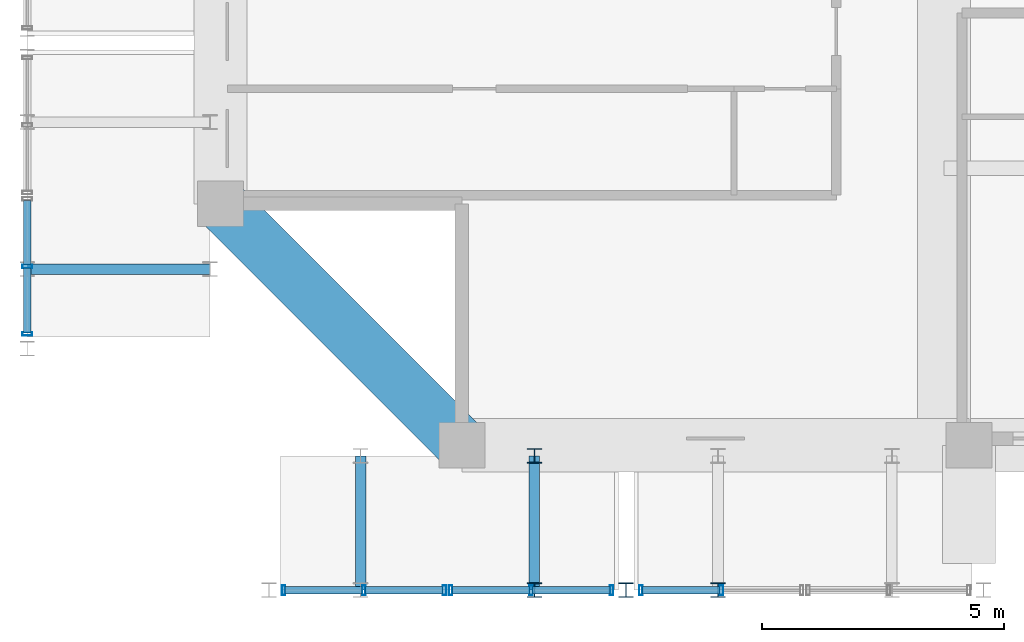
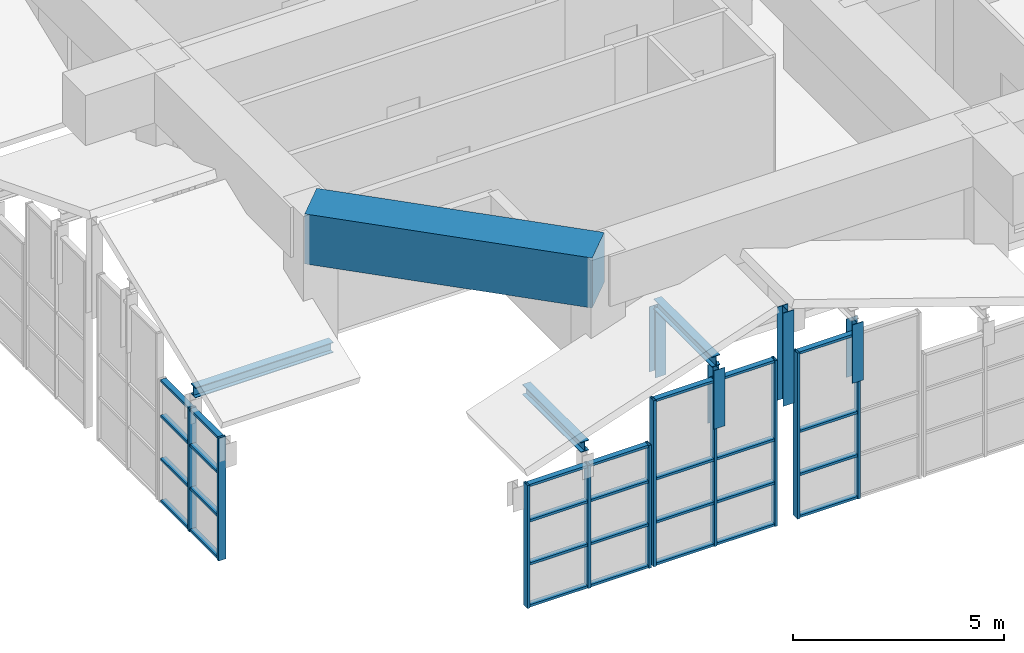
# One storey, part 2 of 45: 45 members, 1 beam, 4 elements without a shape of their own.
"""IFC4 building model written with IfcOpenShell, lengths in metres."""

from ifc_helpers import new_model, si_unit, direction, frame, origin, origin_2d, place, context, subcontext, project, spatial, rectangle, hollow_rectangle, i_section, extrude, source, transform, mapped, material, layer, layer_set, material_profile, profile_set, type_object, element, aggregate, save


model = new_model("IFC4")

# Units and contexts
model_context = context("Model", 3, precision=1e-05, world=origin(), true_north=direction((0.0, 1.0)))
body_context = subcontext(model_context, "Body", "Model", "MODEL_VIEW")
ifc_project = project(units=[si_unit("LENGTHUNIT", "METRE"), si_unit("AREAUNIT", "SQUARE_METRE"), si_unit("VOLUMEUNIT", "CUBIC_METRE"), si_unit("PLANEANGLEUNIT", "RADIAN"), si_unit("MASSUNIT", "GRAM", prefix="KILO")], contexts=[model_context])

# Site, building, storey
site_placement = place(None, origin())
site = spatial("IfcSite", under=ifc_project, at=site_placement, CompositionType="ELEMENT")
building_placement = place(site_placement, origin())
building = spatial("IfcBuilding", under=site, at=building_placement, Name="Saelheon Loggia Tower", CompositionType="ELEMENT")
storey_placement = place(building_placement, frame((0.0, 0.0, 152.199951171875)))
storey = spatial("IfcBuildingStorey", under=building, at=storey_placement, Name="L48", CompositionType="ELEMENT", Elevation=152.199951171875)

# Members
ifc_material_1 = material(Name="Steel SM355", Category="steel")
ifc_material_profile_1 = material_profile(ifc_material_1, i_section(OverallWidth=0.300048828125, OverallDepth=0.300048828125, WebThickness=0.010009765625, FlangeThickness=0.014892578125, at=origin_2d()), Name="H-300x300x10x15")
ifc_profile_set_1 = profile_set([ifc_material_profile_1], Name="Steel SM355")
member_type_1 = type_object("IfcMemberType", Name="WaveCrest_Post_H300", PredefinedType="POST", material=ifc_profile_set_1)
shared_shape_1 = source(origin(), body_context, "Body", "SweptSolid", [
    extrude(i_section(OverallWidth=0.300048828125, OverallDepth=0.300048828125, WebThickness=0.010009765625, FlangeThickness=0.014892578125, at=origin_2d()), origin(), (0.0, 0.0, 1.0), 2.699951171875),
])
member_1_placement = place(storey_placement, frame((24.39990234375, 3.0, 0.0), z_axis=(0.0, 0.0, 1.0), x_axis=(1.0, 0.0, 0.0)))
element("IfcMember", 1, at=member_1_placement, inside=storey, type_object=member_type_1, Name="Tier 1 Wave Crest Upper Post SW 01", PredefinedType="POST", context=body_context, shape_type="MappedRepresentation", body=[
    mapped(shared_shape_1, transform((0.0, 0.0, 0.0), scale=1.0)),
])
ifc_material_profile_2 = material_profile(ifc_material_1, i_section(OverallWidth=0.219970703125, OverallDepth=0.300048828125, WebThickness=0.011962890625, FlangeThickness=0.02001953125, at=origin_2d()), Name="H-300x220x12x20")
ifc_profile_set_2 = profile_set([ifc_material_profile_2], Name="Steel SM355")
member_type_2 = type_object("IfcMemberType", Name="Roof_ShoulderPurlin_RHS300", PredefinedType="PURLIN", material=ifc_profile_set_2)
shared_shape_2 = source(origin(), body_context, "Body", "SweptSolid", [
    extrude(i_section(OverallWidth=0.219970703125, OverallDepth=0.300048828125, WebThickness=0.011962890625, FlangeThickness=0.02001953125, at=origin_2d()), origin(), (0.0, 0.0, 1.0), 3.780029296875),
])
member_2_placement = place(storey_placement, frame((12.0, 9.644775390625, 0.6220703125), z_axis=(1.0, 0.0, 0.0), x_axis=(0.0, 1.0, 0.0)))
element("IfcMember", 2, at=member_2_placement, inside=storey, type_object=member_type_2, Name="Tier 1 Wave Crest Rafter W 01 A", PredefinedType="PURLIN", context=body_context, shape_type="MappedRepresentation", body=[
    mapped(shared_shape_2, transform((0.0, 0.0, 0.0), scale=1.0)),
])
shared_shape_3 = source(origin(), body_context, "Body", "SweptSolid", [
    extrude(i_section(OverallWidth=0.219970703125, OverallDepth=0.300048828125, WebThickness=0.011962890625, FlangeThickness=0.02001953125, at=origin_2d()), origin(), (0.0, 0.0, 1.0), 2.780029296875),
])
for number, where, z_axis, x_axis, name in (
    (3, (18.90087890625, 3.0, 0.628173828125), (0.0, 1.0, 0.0), (-1.0, 0.0, 0.0), "Tier 1 Wave Crest Rafter SW 01 A"),
    (4, (22.499267578125, 3.0, 1.84375), (0.0, 1.0, 0.0), (-1.0, 0.0, 0.0), "Tier 1 Wave Crest Rafter SW 01 B"),
):
    element("IfcMember", number, at=place(storey_placement, frame(where, z_axis=z_axis, x_axis=x_axis)), inside=storey, type_object=member_type_2, Name=name, PredefinedType="PURLIN", context=body_context, shape_type="MappedRepresentation", body=[
        mapped(shared_shape_3, transform((0.0, 0.0, 0.0), scale=1.0)),
    ])
shared_shape_4 = source(origin(), body_context, "Body", "SweptSolid", [
    extrude(i_section(OverallWidth=0.300048828125, OverallDepth=0.300048828125, WebThickness=0.010009765625, FlangeThickness=0.014892578125, at=origin_2d()), origin(), (0.0, 0.0, 1.0), 1.69384765625),
])
for number, where, z_axis, x_axis, name in (
    (5, (22.499267578125, 3.0, 0.0), (0.0, 0.0, 1.0), (1.0, 0.0, 0.0), "Tier 1 Rafter Outer Upper Post SW 01"),
    (6, (26.30078125, 3.0, 0.0), (0.0, 0.0, 1.0), (1.0, 0.0, 0.0), "Tier 1 Rafter Outer Upper Post SW 02"),
):
    element("IfcMember", number, at=place(storey_placement, frame(where, z_axis=z_axis, x_axis=x_axis)), inside=storey, type_object=member_type_1, Name=name, PredefinedType="POST", context=body_context, shape_type="MappedRepresentation", body=[
        mapped(shared_shape_4, transform((0.0, 0.0, 0.0), scale=1.0)),
    ])
ifc_material_profile_3 = material_profile(ifc_material_1, i_section(OverallWidth=0.300048828125, OverallDepth=0.300048828125, WebThickness=0.010009765625, FlangeThickness=0.014892578125, at=origin_2d()), Name="H-300x300x10x15")
ifc_profile_set_3 = profile_set([ifc_material_profile_3], Name="Steel SM355")
member_type_3 = type_object("IfcMemberType", Name="Belt_Post_H300", PredefinedType="POST", material=ifc_profile_set_3)
shared_shape_5 = source(origin(), body_context, "Body", "SweptSolid", [
    extrude(i_section(OverallWidth=0.300048828125, OverallDepth=0.300048828125, WebThickness=0.010009765625, FlangeThickness=0.014892578125, at=origin_2d()), origin(), (0.0, 0.0, 1.0), 1.893798828125),
])
member_3_placement = place(storey_placement, frame((22.499267578125, 5.780029296875, -0.199951171875), z_axis=(0.0, 0.0, 1.0), x_axis=(1.0, 0.0, 0.0)))
element("IfcMember", 7, at=member_3_placement, inside=storey, type_object=member_type_3, Name="Tier 1 Rafter Inner Post SW 01", PredefinedType="POST", context=body_context, shape_type="MappedRepresentation", body=[
    mapped(shared_shape_5, transform((0.0, 0.0, 0.0), scale=1.0)),
])

# Beam
ifc_material_2 = material(Name="Concrete C50/60", Category="concrete")
ifc_material_profile_4 = material_profile(ifc_material_2, rectangle(XDim=1.10009765625, YDim=1.449951171875, at=origin_2d()), Name="RC-1100x1450")
ifc_profile_set_4 = profile_set([ifc_material_profile_4], Name="Concrete C50/60")
beam_type = type_object("IfcBeamType", Name="Beam_PerimTransfer_RC1100x1450", PredefinedType="BEAM", material=ifc_profile_set_4)
shared_shape_6 = source(origin(), body_context, "Body", "SweptSolid", [
    extrude(rectangle(XDim=1.10009765625, YDim=1.449951171875, at=origin_2d()), origin(), (0.0, 0.0, 1.0), 7.071044921875),
])
beam_placement = place(storey_placement, frame((16.0, 11.0, 3.175048828125), z_axis=(0.707106781187, -0.707106781187, 0.0), x_axis=(0.707106781187, 0.707106781187, 0.0)))
element("IfcBeam", 8, at=beam_placement, inside=storey, type_object=beam_type, Name="L48 Perimeter Frame Girder 16", PredefinedType="BEAM", context=body_context, shape_type="MappedRepresentation", body=[
    mapped(shared_shape_6, transform((0.0, 0.0, 0.0), scale=1.0)),
])

# Curtain wall, members
ifc_material_3 = material(Name="Bronze-Anodised Aluminium and Fritted Ceramic Screen", Category="aluminium")
ifc_layer = layer(ifc_material_3, 0.219970703125)
ifc_layer_set = layer_set([ifc_layer], Name="Bronze-Anodised Aluminium and Fritted Ceramic Screen")
curtain_wall_type = type_object("IfcCurtainWallType", Name="CW_CrownScreen", PredefinedType="NOTDEFINED", material=ifc_layer_set)
curtain_wall_1_placement = place(storey_placement, origin())
curtain_wall_1 = element("IfcCurtainWall", 9, at=curtain_wall_1_placement, inside=storey, type_object=curtain_wall_type, Name="Tier 1 Wave Crest Glazing W 01-1", PredefinedType="NOTDEFINED")
ifc_material_4 = material(Name="Bronze-Anodised Aluminium 6063-T6", Category="aluminium")
ifc_material_profile_5 = material_profile(ifc_material_4, hollow_rectangle(XDim=0.070068359375, YDim=0.199951171875, WallThickness=0.0048828125, at=origin_2d()), Name="RHS-200x70x5")
ifc_profile_set_5 = profile_set([ifc_material_profile_5], Name="Bronze-Anodised Aluminium 6063-T6")
member_type_4 = type_object("IfcMemberType", Name="CW_CrownScreen_Mullion", PredefinedType="MULLION", material=ifc_profile_set_5)
shared_shape_7 = source(origin(), body_context, "Body", "SweptSolid", [
    extrude(hollow_rectangle(XDim=0.070068359375, YDim=0.199951171875, WallThickness=0.0048828125, at=origin_2d()), origin(), (0.0, 0.0, 1.0), 3.56005859375),
])
member_4_placement = place(storey_placement, frame((12.0, 8.304931640625, -3.449951171875), z_axis=(0.0, 0.0, 1.0), x_axis=(0.0, 1.0, 0.0)))
member_4 = element("IfcMember", 10, at=member_4_placement, type_object=member_type_4, Name="CW6 mullion 1", PredefinedType="MULLION", context=body_context, shape_type="MappedRepresentation", body=[
    mapped(shared_shape_7, transform((0.0, 0.0, 0.0), scale=1.0)),
])
member_5_placement = place(storey_placement, frame((12.0, 9.703369140625, -3.449951171875), z_axis=(0.0, 0.0, 1.0), x_axis=(0.0, 1.0, 0.0)))
member_5 = element("IfcMember", 11, at=member_5_placement, type_object=member_type_4, Name="CW6 mullion 2", PredefinedType="MULLION", context=body_context, shape_type="MappedRepresentation", body=[
    mapped(shared_shape_7, transform((0.0, 0.0, 0.0), scale=1.0)),
])

curtain_wall_2_placement = place(storey_placement, origin())
curtain_wall_2 = element("IfcCurtainWall", 12, at=curtain_wall_2_placement, inside=storey, type_object=curtain_wall_type, Name="Tier 1 Wave Crest Glazing SW 01-1", PredefinedType="NOTDEFINED")
member_6_placement = place(storey_placement, frame((17.304931640625, 3.0, -3.449951171875), z_axis=(0.0, 0.0, 1.0), x_axis=(1.0, 0.0, 0.0)))
member_6 = element("IfcMember", 13, at=member_6_placement, type_object=member_type_4, Name="CW6 mullion 1", PredefinedType="MULLION", context=body_context, shape_type="MappedRepresentation", body=[
    mapped(shared_shape_7, transform((0.0, 0.0, 0.0), scale=1.0)),
])
member_7_placement = place(storey_placement, frame((18.969970703125, 3.0, -3.449951171875), z_axis=(0.0, 0.0, 1.0), x_axis=(1.0, 0.0, 0.0)))
member_7 = element("IfcMember", 14, at=member_7_placement, type_object=member_type_4, Name="CW6 mullion 2", PredefinedType="MULLION", context=body_context, shape_type="MappedRepresentation", body=[
    mapped(shared_shape_7, transform((0.0, 0.0, 0.0), scale=1.0)),
])
member_8_placement = place(storey_placement, frame((20.635009765625, 3.0, -3.449951171875), z_axis=(0.0, 0.0, 1.0), x_axis=(1.0, 0.0, 0.0)))
member_8 = element("IfcMember", 15, at=member_8_placement, type_object=member_type_4, Name="CW6 mullion 3", PredefinedType="MULLION", context=body_context, shape_type="MappedRepresentation", body=[
    mapped(shared_shape_7, transform((0.0, 0.0, 0.0), scale=1.0)),
])

# Member
ifc_material_profile_6 = material_profile(ifc_material_4, hollow_rectangle(XDim=0.070068359375, YDim=0.14990234375, WallThickness=0.0048828125, at=origin_2d()), Name="RHS-150x70x5")
ifc_profile_set_6 = profile_set([ifc_material_profile_6], Name="Bronze-Anodised Aluminium 6063-T6")
member_type_5 = type_object("IfcMemberType", Name="CW_CrownScreen_Transom", PredefinedType="USERDEFINED", material=ifc_profile_set_6)
shared_shape_8 = source(origin(), body_context, "Body", "SweptSolid", [
    extrude(hollow_rectangle(XDim=0.070068359375, YDim=0.14990234375, WallThickness=0.0048828125, at=origin_2d()), origin(), (0.0, 0.0, 1.0), 1.328369140625),
])
member_9_placement = place(storey_placement, frame((12.0, 8.340087890625, -3.4150390625), z_axis=(0.0, 1.0, 0.0), x_axis=(0.0, 0.0, 1.0)))
member_9 = element("IfcMember", 16, at=member_9_placement, type_object=member_type_5, Name="CW6 transom 1.1", ObjectType="TRANSOM", PredefinedType="USERDEFINED", context=body_context, shape_type="MappedRepresentation", body=[
    mapped(shared_shape_8, transform((0.0, 0.0, 0.0), scale=1.0)),
])

member_10_placement = place(storey_placement, frame((12.0, 8.340087890625, -2.199951171875), z_axis=(0.0, 1.0, 0.0), x_axis=(0.0, 0.0, 1.0)))
member_10 = element("IfcMember", 17, at=member_10_placement, type_object=member_type_5, Name="CW6 transom 1.2", ObjectType="TRANSOM", PredefinedType="USERDEFINED", context=body_context, shape_type="MappedRepresentation", body=[
    mapped(shared_shape_8, transform((0.0, 0.0, 0.0), scale=1.0)),
])

member_11_placement = place(storey_placement, frame((12.0, 8.340087890625, -0.949951171875), z_axis=(0.0, 1.0, 0.0), x_axis=(0.0, 0.0, 1.0)))
member_11 = element("IfcMember", 18, at=member_11_placement, type_object=member_type_5, Name="CW6 transom 1.3", ObjectType="TRANSOM", PredefinedType="USERDEFINED", context=body_context, shape_type="MappedRepresentation", body=[
    mapped(shared_shape_8, transform((0.0, 0.0, 0.0), scale=1.0)),
])

member_12_placement = place(storey_placement, frame((12.0, 8.340087890625, 0.074951171875), z_axis=(0.0, 1.0, 0.0), x_axis=(0.0, 0.0, 1.0)))
member_12 = element("IfcMember", 19, at=member_12_placement, type_object=member_type_5, Name="CW6 transom 1.4", ObjectType="TRANSOM", PredefinedType="USERDEFINED", context=body_context, shape_type="MappedRepresentation", body=[
    mapped(shared_shape_8, transform((0.0, 0.0, 0.0), scale=1.0)),
])

member_13_placement = place(storey_placement, frame((12.0, 9.73828125, -3.4150390625), z_axis=(0.0, 1.0, 0.0), x_axis=(0.0, 0.0, 1.0)))
member_13 = element("IfcMember", 20, at=member_13_placement, type_object=member_type_5, Name="CW6 transom 2.1", ObjectType="TRANSOM", PredefinedType="USERDEFINED", context=body_context, shape_type="MappedRepresentation", body=[
    mapped(shared_shape_8, transform((0.0, 0.0, 0.0), scale=1.0)),
])

member_14_placement = place(storey_placement, frame((12.0, 9.73828125, -2.199951171875), z_axis=(0.0, 1.0, 0.0), x_axis=(0.0, 0.0, 1.0)))
member_14 = element("IfcMember", 21, at=member_14_placement, type_object=member_type_5, Name="CW6 transom 2.2", ObjectType="TRANSOM", PredefinedType="USERDEFINED", context=body_context, shape_type="MappedRepresentation", body=[
    mapped(shared_shape_8, transform((0.0, 0.0, 0.0), scale=1.0)),
])

member_15_placement = place(storey_placement, frame((12.0, 9.73828125, -0.949951171875), z_axis=(0.0, 1.0, 0.0), x_axis=(0.0, 0.0, 1.0)))
member_15 = element("IfcMember", 22, at=member_15_placement, type_object=member_type_5, Name="CW6 transom 2.3", ObjectType="TRANSOM", PredefinedType="USERDEFINED", context=body_context, shape_type="MappedRepresentation", body=[
    mapped(shared_shape_8, transform((0.0, 0.0, 0.0), scale=1.0)),
])

member_16_placement = place(storey_placement, frame((12.0, 9.73828125, 0.074951171875), z_axis=(0.0, 1.0, 0.0), x_axis=(0.0, 0.0, 1.0)))
member_16 = element("IfcMember", 23, at=member_16_placement, type_object=member_type_5, Name="CW6 transom 2.4", ObjectType="TRANSOM", PredefinedType="USERDEFINED", context=body_context, shape_type="MappedRepresentation", body=[
    mapped(shared_shape_8, transform((0.0, 0.0, 0.0), scale=1.0)),
])

aggregate(curtain_wall_1, [member_4, member_5, member_9, member_10, member_11, member_12, member_13, member_14, member_15, member_16])

# Curtain wall, members
curtain_wall_3_placement = place(storey_placement, origin())
curtain_wall_3 = element("IfcCurtainWall", 24, at=curtain_wall_3_placement, inside=storey, type_object=curtain_wall_type, Name="Tier 1 Wave Crest Glazing SW 01-2", PredefinedType="NOTDEFINED")
shared_shape_9 = source(origin(), body_context, "Body", "SweptSolid", [
    extrude(hollow_rectangle(XDim=0.070068359375, YDim=0.199951171875, WallThickness=0.0048828125, at=origin_2d()), origin(), (0.0, 0.0, 1.0), 4.81005859375),
])
member_17_placement = place(storey_placement, frame((20.764892578125, 3.0, -3.449951171875), z_axis=(0.0, 0.0, 1.0), x_axis=(1.0, 0.0, 0.0)))
member_17 = element("IfcMember", 25, at=member_17_placement, type_object=member_type_4, Name="CW6 mullion 1", PredefinedType="MULLION", context=body_context, shape_type="MappedRepresentation", body=[
    mapped(shared_shape_9, transform((0.0, 0.0, 0.0), scale=1.0)),
])
member_18_placement = place(storey_placement, frame((22.429931640625, 3.0, -3.449951171875), z_axis=(0.0, 0.0, 1.0), x_axis=(1.0, 0.0, 0.0)))
member_18 = element("IfcMember", 26, at=member_18_placement, type_object=member_type_4, Name="CW6 mullion 2", PredefinedType="MULLION", context=body_context, shape_type="MappedRepresentation", body=[
    mapped(shared_shape_9, transform((0.0, 0.0, 0.0), scale=1.0)),
])
member_19_placement = place(storey_placement, frame((24.094970703125, 3.0, -3.449951171875), z_axis=(0.0, 0.0, 1.0), x_axis=(1.0, 0.0, 0.0)))
member_19 = element("IfcMember", 27, at=member_19_placement, type_object=member_type_4, Name="CW6 mullion 3", PredefinedType="MULLION", context=body_context, shape_type="MappedRepresentation", body=[
    mapped(shared_shape_9, transform((0.0, 0.0, 0.0), scale=1.0)),
])

curtain_wall_4_placement = place(storey_placement, origin())
curtain_wall_4 = element("IfcCurtainWall", 28, at=curtain_wall_4_placement, inside=storey, type_object=curtain_wall_type, Name="Tier 1 Wave Crest Glazing SW 02-1", PredefinedType="NOTDEFINED")
member_20_placement = place(storey_placement, frame((24.705078125, 3.0, -3.449951171875), z_axis=(0.0, 0.0, 1.0), x_axis=(1.0, 0.0, 0.0)))
member_20 = element("IfcMember", 29, at=member_20_placement, type_object=member_type_4, Name="CW6 mullion 1", PredefinedType="MULLION", context=body_context, shape_type="MappedRepresentation", body=[
    mapped(shared_shape_9, transform((0.0, 0.0, 0.0), scale=1.0)),
])
member_21_placement = place(storey_placement, frame((26.3701171875, 3.0, -3.449951171875), z_axis=(0.0, 0.0, 1.0), x_axis=(1.0, 0.0, 0.0)))
member_21 = element("IfcMember", 30, at=member_21_placement, type_object=member_type_4, Name="CW6 mullion 2", PredefinedType="MULLION", context=body_context, shape_type="MappedRepresentation", body=[
    mapped(shared_shape_9, transform((0.0, 0.0, 0.0), scale=1.0)),
])

# Member
shared_shape_10 = source(origin(), body_context, "Body", "SweptSolid", [
    extrude(hollow_rectangle(XDim=0.070068359375, YDim=0.14990234375, WallThickness=0.0048828125, at=origin_2d()), origin(), (0.0, 0.0, 1.0), 1.594970703125),
])
member_22_placement = place(storey_placement, frame((17.340087890625, 3.0, -3.4150390625), z_axis=(1.0, 0.0, 0.0), x_axis=(0.0, 0.0, 1.0)))
member_22 = element("IfcMember", 31, at=member_22_placement, type_object=member_type_5, Name="CW6 transom 1.1", ObjectType="TRANSOM", PredefinedType="USERDEFINED", context=body_context, shape_type="MappedRepresentation", body=[
    mapped(shared_shape_10, transform((0.0, 0.0, 0.0), scale=1.0)),
])

member_23_placement = place(storey_placement, frame((17.340087890625, 3.0, -2.199951171875), z_axis=(1.0, 0.0, 0.0), x_axis=(0.0, 0.0, 1.0)))
member_23 = element("IfcMember", 32, at=member_23_placement, type_object=member_type_5, Name="CW6 transom 1.2", ObjectType="TRANSOM", PredefinedType="USERDEFINED", context=body_context, shape_type="MappedRepresentation", body=[
    mapped(shared_shape_10, transform((0.0, 0.0, 0.0), scale=1.0)),
])

member_24_placement = place(storey_placement, frame((17.340087890625, 3.0, -0.949951171875), z_axis=(1.0, 0.0, 0.0), x_axis=(0.0, 0.0, 1.0)))
member_24 = element("IfcMember", 33, at=member_24_placement, type_object=member_type_5, Name="CW6 transom 1.3", ObjectType="TRANSOM", PredefinedType="USERDEFINED", context=body_context, shape_type="MappedRepresentation", body=[
    mapped(shared_shape_10, transform((0.0, 0.0, 0.0), scale=1.0)),
])

member_25_placement = place(storey_placement, frame((17.340087890625, 3.0, 0.074951171875), z_axis=(1.0, 0.0, 0.0), x_axis=(0.0, 0.0, 1.0)))
member_25 = element("IfcMember", 34, at=member_25_placement, type_object=member_type_5, Name="CW6 transom 1.4", ObjectType="TRANSOM", PredefinedType="USERDEFINED", context=body_context, shape_type="MappedRepresentation", body=[
    mapped(shared_shape_10, transform((0.0, 0.0, 0.0), scale=1.0)),
])

member_26_placement = place(storey_placement, frame((20.800048828125, 3.0, -3.4150390625), z_axis=(1.0, 0.0, 0.0), x_axis=(0.0, 0.0, 1.0)))
member_26 = element("IfcMember", 35, at=member_26_placement, type_object=member_type_5, Name="CW6 transom 1.1", ObjectType="TRANSOM", PredefinedType="USERDEFINED", context=body_context, shape_type="MappedRepresentation", body=[
    mapped(shared_shape_10, transform((0.0, 0.0, 0.0), scale=1.0)),
])

member_27_placement = place(storey_placement, frame((20.800048828125, 3.0, -2.199951171875), z_axis=(1.0, 0.0, 0.0), x_axis=(0.0, 0.0, 1.0)))
member_27 = element("IfcMember", 36, at=member_27_placement, type_object=member_type_5, Name="CW6 transom 1.2", ObjectType="TRANSOM", PredefinedType="USERDEFINED", context=body_context, shape_type="MappedRepresentation", body=[
    mapped(shared_shape_10, transform((0.0, 0.0, 0.0), scale=1.0)),
])

member_28_placement = place(storey_placement, frame((20.800048828125, 3.0, -0.949951171875), z_axis=(1.0, 0.0, 0.0), x_axis=(0.0, 0.0, 1.0)))
member_28 = element("IfcMember", 37, at=member_28_placement, type_object=member_type_5, Name="CW6 transom 1.3", ObjectType="TRANSOM", PredefinedType="USERDEFINED", context=body_context, shape_type="MappedRepresentation", body=[
    mapped(shared_shape_10, transform((0.0, 0.0, 0.0), scale=1.0)),
])

member_29_placement = place(storey_placement, frame((20.800048828125, 3.0, 1.324951171875), z_axis=(1.0, 0.0, 0.0), x_axis=(0.0, 0.0, 1.0)))
member_29 = element("IfcMember", 38, at=member_29_placement, type_object=member_type_5, Name="CW6 transom 1.4", ObjectType="TRANSOM", PredefinedType="USERDEFINED", context=body_context, shape_type="MappedRepresentation", body=[
    mapped(shared_shape_10, transform((0.0, 0.0, 0.0), scale=1.0)),
])

member_30_placement = place(storey_placement, frame((22.465087890625, 3.0, -3.4150390625), z_axis=(1.0, 0.0, 0.0), x_axis=(0.0, 0.0, 1.0)))
member_30 = element("IfcMember", 39, at=member_30_placement, type_object=member_type_5, Name="CW6 transom 2.1", ObjectType="TRANSOM", PredefinedType="USERDEFINED", context=body_context, shape_type="MappedRepresentation", body=[
    mapped(shared_shape_10, transform((0.0, 0.0, 0.0), scale=1.0)),
])

member_31_placement = place(storey_placement, frame((22.465087890625, 3.0, -2.199951171875), z_axis=(1.0, 0.0, 0.0), x_axis=(0.0, 0.0, 1.0)))
member_31 = element("IfcMember", 40, at=member_31_placement, type_object=member_type_5, Name="CW6 transom 2.2", ObjectType="TRANSOM", PredefinedType="USERDEFINED", context=body_context, shape_type="MappedRepresentation", body=[
    mapped(shared_shape_10, transform((0.0, 0.0, 0.0), scale=1.0)),
])

member_32_placement = place(storey_placement, frame((22.465087890625, 3.0, -0.949951171875), z_axis=(1.0, 0.0, 0.0), x_axis=(0.0, 0.0, 1.0)))
member_32 = element("IfcMember", 41, at=member_32_placement, type_object=member_type_5, Name="CW6 transom 2.3", ObjectType="TRANSOM", PredefinedType="USERDEFINED", context=body_context, shape_type="MappedRepresentation", body=[
    mapped(shared_shape_10, transform((0.0, 0.0, 0.0), scale=1.0)),
])

member_33_placement = place(storey_placement, frame((22.465087890625, 3.0, 1.324951171875), z_axis=(1.0, 0.0, 0.0), x_axis=(0.0, 0.0, 1.0)))
member_33 = element("IfcMember", 42, at=member_33_placement, type_object=member_type_5, Name="CW6 transom 2.4", ObjectType="TRANSOM", PredefinedType="USERDEFINED", context=body_context, shape_type="MappedRepresentation", body=[
    mapped(shared_shape_10, transform((0.0, 0.0, 0.0), scale=1.0)),
])

aggregate(curtain_wall_3, [member_17, member_18, member_19, member_26, member_27, member_28, member_29, member_30, member_31, member_32, member_33])

member_34_placement = place(storey_placement, frame((24.739990234375, 3.0, -3.4150390625), z_axis=(1.0, 0.0, 0.0), x_axis=(0.0, 0.0, 1.0)))
member_34 = element("IfcMember", 43, at=member_34_placement, type_object=member_type_5, Name="CW6 transom 1.1", ObjectType="TRANSOM", PredefinedType="USERDEFINED", context=body_context, shape_type="MappedRepresentation", body=[
    mapped(shared_shape_10, transform((0.0, 0.0, 0.0), scale=1.0)),
])

member_35_placement = place(storey_placement, frame((24.739990234375, 3.0, -2.199951171875), z_axis=(1.0, 0.0, 0.0), x_axis=(0.0, 0.0, 1.0)))
member_35 = element("IfcMember", 44, at=member_35_placement, type_object=member_type_5, Name="CW6 transom 1.2", ObjectType="TRANSOM", PredefinedType="USERDEFINED", context=body_context, shape_type="MappedRepresentation", body=[
    mapped(shared_shape_10, transform((0.0, 0.0, 0.0), scale=1.0)),
])

member_36_placement = place(storey_placement, frame((24.739990234375, 3.0, -0.949951171875), z_axis=(1.0, 0.0, 0.0), x_axis=(0.0, 0.0, 1.0)))
member_36 = element("IfcMember", 45, at=member_36_placement, type_object=member_type_5, Name="CW6 transom 1.3", ObjectType="TRANSOM", PredefinedType="USERDEFINED", context=body_context, shape_type="MappedRepresentation", body=[
    mapped(shared_shape_10, transform((0.0, 0.0, 0.0), scale=1.0)),
])

member_37_placement = place(storey_placement, frame((24.739990234375, 3.0, 1.324951171875), z_axis=(1.0, 0.0, 0.0), x_axis=(0.0, 0.0, 1.0)))
member_37 = element("IfcMember", 46, at=member_37_placement, type_object=member_type_5, Name="CW6 transom 1.4", ObjectType="TRANSOM", PredefinedType="USERDEFINED", context=body_context, shape_type="MappedRepresentation", body=[
    mapped(shared_shape_10, transform((0.0, 0.0, 0.0), scale=1.0)),
])

aggregate(curtain_wall_4, [member_20, member_21, member_34, member_35, member_36, member_37])

shared_shape_11 = source(origin(), body_context, "Body", "SweptSolid", [
    extrude(hollow_rectangle(XDim=0.070068359375, YDim=0.14990234375, WallThickness=0.0048828125, at=origin_2d()), origin(), (0.0, 0.0, 1.0), 1.59521484375),
])
member_38_placement = place(storey_placement, frame((19.0048828125, 3.0, -3.4150390625), z_axis=(1.0, 0.0, 0.0), x_axis=(0.0, 0.0, 1.0)))
member_38 = element("IfcMember", 47, at=member_38_placement, type_object=member_type_5, Name="CW6 transom 2.1", ObjectType="TRANSOM", PredefinedType="USERDEFINED", context=body_context, shape_type="MappedRepresentation", body=[
    mapped(shared_shape_11, transform((0.0, 0.0, 0.0), scale=1.0)),
])

member_39_placement = place(storey_placement, frame((19.0048828125, 3.0, -2.199951171875), z_axis=(1.0, 0.0, 0.0), x_axis=(0.0, 0.0, 1.0)))
member_39 = element("IfcMember", 48, at=member_39_placement, type_object=member_type_5, Name="CW6 transom 2.2", ObjectType="TRANSOM", PredefinedType="USERDEFINED", context=body_context, shape_type="MappedRepresentation", body=[
    mapped(shared_shape_11, transform((0.0, 0.0, 0.0), scale=1.0)),
])

member_40_placement = place(storey_placement, frame((19.0048828125, 3.0, -0.949951171875), z_axis=(1.0, 0.0, 0.0), x_axis=(0.0, 0.0, 1.0)))
member_40 = element("IfcMember", 49, at=member_40_placement, type_object=member_type_5, Name="CW6 transom 2.3", ObjectType="TRANSOM", PredefinedType="USERDEFINED", context=body_context, shape_type="MappedRepresentation", body=[
    mapped(shared_shape_11, transform((0.0, 0.0, 0.0), scale=1.0)),
])

member_41_placement = place(storey_placement, frame((19.0048828125, 3.0, 0.074951171875), z_axis=(1.0, 0.0, 0.0), x_axis=(0.0, 0.0, 1.0)))
member_41 = element("IfcMember", 50, at=member_41_placement, type_object=member_type_5, Name="CW6 transom 2.4", ObjectType="TRANSOM", PredefinedType="USERDEFINED", context=body_context, shape_type="MappedRepresentation", body=[
    mapped(shared_shape_11, transform((0.0, 0.0, 0.0), scale=1.0)),
])

aggregate(curtain_wall_2, [member_6, member_7, member_8, member_22, member_23, member_24, member_25, member_38, member_39, member_40, member_41])

save(model, "model.ifc")
